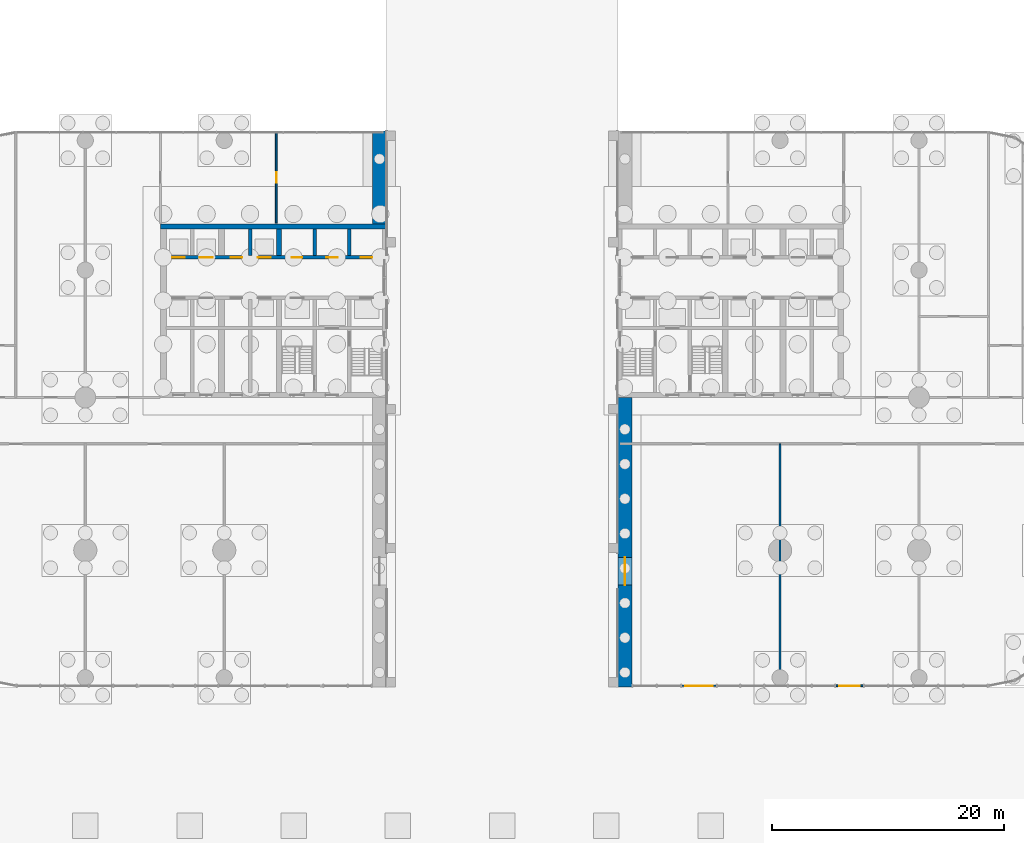
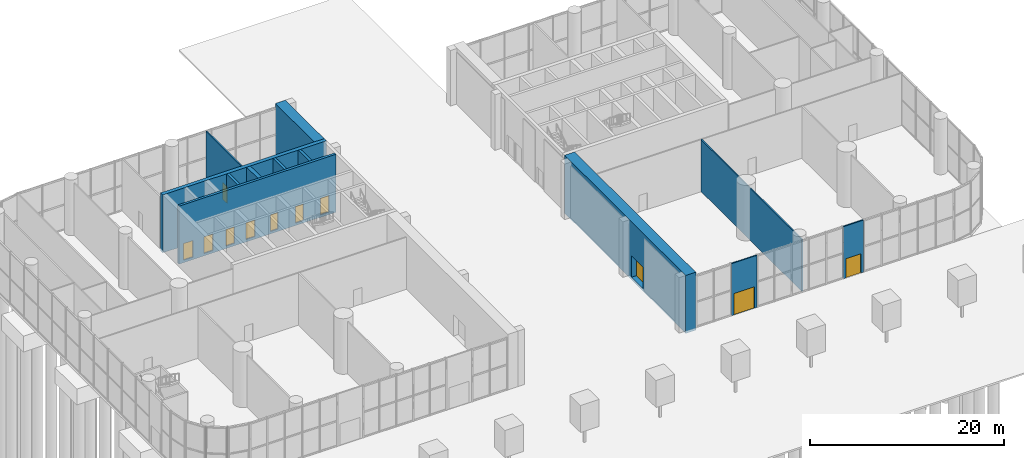
# One storey, part 19 of 26: 12 walls, 11 doors, 11 openings.
"""IFC4 building model written with IfcOpenShell, lengths in metres."""

from ifc_helpers import new_model, si_unit, direction, frame, frame_2d, origin, place, context, subcontext, project, spatial, rectangle, extrude, material, layer, layer_set, type_object, element, fill, save


model = new_model("IFC4")

# Units and contexts
model_context = context("Model", 3, precision=1e-05, world=origin(), true_north=direction((0.0, 1.0)))
body_context = subcontext(model_context, "Body", "Model", "MODEL_VIEW")
ifc_project = project(units=[si_unit("LENGTHUNIT", "METRE"), si_unit("AREAUNIT", "SQUARE_METRE"), si_unit("VOLUMEUNIT", "CUBIC_METRE"), si_unit("PLANEANGLEUNIT", "RADIAN"), si_unit("MASSUNIT", "GRAM", prefix="KILO")], contexts=[model_context])

# Site, building, storey
site_placement = place(None, origin())
site = spatial("IfcSite", under=ifc_project, at=site_placement, CompositionType="ELEMENT")
building_placement = place(site_placement, origin())
building = spatial("IfcBuilding", under=site, at=building_placement, Name="Torana Hotel and Residences", CompositionType="ELEMENT")
storey_placement = place(building_placement, origin())
storey = spatial("IfcBuildingStorey", under=building, at=storey_placement, Name="L00", CompositionType="ELEMENT", Elevation=0.0)

# Wall
ifc_material_1 = material(Name="Concrete C70/85", Category="concrete")
ifc_layer_1 = layer(ifc_material_1, 1.199951171875)
ifc_layer_set_1 = layer_set([ifc_layer_1], Name="CORE WALL 1200 C70/85")
wall_type_1 = type_object("IfcWallType", Name="CORE WALL 1200 C70/85", PredefinedType="SHEAR", material=ifc_layer_set_1)
wall_1_placement = place(storey_placement, frame((-10.60009765625, 0.0, -0.300048828125), z_axis=(0.0, 0.0, 1.0), x_axis=(0.0, 1.0, 0.0)))
element("IfcWall", 1, at=wall_1_placement, inside=storey, type_object=wall_type_1, Name="Arch jamb wall W", PredefinedType="SHEAR", context=body_context, shape_type="SweptSolid", body=[
    extrude(rectangle(XDim=8.0, YDim=1.199951171875, at=frame_2d((4.0, 0.0))), origin(), (0.0, 0.0, 1.0), 7.300048828125),
])

# Wall, opening, door
wall_2_placement = place(storey_placement, frame((10.60009765625, -40.0, -0.300048828125), z_axis=(0.0, 0.0, 1.0), x_axis=(0.0, 1.0, 0.0)))
wall_2 = element("IfcWall", 2, at=wall_2_placement, inside=storey, type_object=wall_type_1, Name="Arch jamb wall E", PredefinedType="SHEAR", context=body_context, shape_type="SweptSolid", body=[
    extrude(rectangle(XDim=25.0, YDim=1.199951171875, at=frame_2d((12.5, 0.0))), origin(), (0.0, 0.0, 1.0), 7.300048828125),
])
opening_1_placement = place(wall_2_placement, frame((8.800048828125, 0.0, 0.300048828125)))
opening_1 = element("IfcOpeningElement", 3, at=opening_1_placement, cuts=wall_2, Name="Opening L00-E06", PredefinedType="OPENING", context=body_context, shape_type="SweptSolid", body=[
    extrude(rectangle(XDim=2.39990234375, YDim=2.699951171875, at=frame_2d((1.199951171875, 1.35009765625))), frame((0.0, 0.60986328125, 0.0), z_axis=(0.0, -1.0, 0.0), x_axis=(1.0, 0.0, 0.0)), (0.0, 0.0, 1.0), 1.219970703125),
])
ifc_material_2 = material(Name="Glass door in stainless steel frame", Category="steel")
door_type_1 = type_object("IfcDoorType", Name="DE1 ENTRANCE DOOR 2400x2700", OperationType="DOUBLE_DOOR_DOUBLE_SWING", PredefinedType="DOOR", material=ifc_material_2)
door_1_placement = place(opening_1_placement, origin())
door_1 = element("IfcDoor", 4, at=door_1_placement, inside=storey, type_object=door_type_1, Name="Entrance door L00", OperationType="DOUBLE_DOOR_DOUBLE_SWING", OverallHeight=2.699951171875, OverallWidth=2.39990234375, PredefinedType="DOOR", context=body_context, shape_type="SweptSolid", body=[
    extrude(rectangle(XDim=2.39990234375, YDim=2.699951171875, at=frame_2d((1.199951171875, 1.35009765625))), frame((0.0, 0.02490234375, 0.0), z_axis=(0.0, -1.0, 0.0), x_axis=(1.0, 0.0, 0.0)), (0.0, 0.0, 1.0), 0.050048828125),
])
fill(opening_1, door_1)

# Wall, openings, doors
ifc_material_3 = material(Name="Concrete C80/95", Category="concrete")
ifc_layer_2 = layer(ifc_material_3, 0.300048828125)
ifc_layer_set_2 = layer_set([ifc_layer_2], Name="CORE WALL 300 C80/95")
wall_type_2 = type_object("IfcWallType", Name="CORE WALL 300 C80/95", PredefinedType="SHEAR", material=ifc_layer_set_2)
wall_3_placement = place(storey_placement, frame((-29.050048828125, -2.89990234375, -0.300048828125), z_axis=(0.0, 0.0, 1.0), x_axis=(1.0, 0.0, 0.0)))
wall_3 = element("IfcWall", 5, at=wall_3_placement, inside=storey, type_object=wall_type_2, Name="Core wall W row-N", PredefinedType="SHEAR", context=body_context, shape_type="SweptSolid", body=[
    extrude(rectangle(XDim=18.699951171875, YDim=0.300048828125, at=frame_2d((9.35009765625, 0.0))), origin(), (0.0, 0.0, 1.0), 7.300048828125),
])
opening_2_placement = place(wall_3_placement, frame((2.949951171875, 0.0, 0.300048828125)))
opening_2 = element("IfcOpeningElement", 6, at=opening_2_placement, cuts=wall_3, Name="Opening LD", PredefinedType="OPENING", context=body_context, shape_type="SweptSolid", body=[
    extrude(rectangle(XDim=1.10009765625, YDim=2.10009765625, at=frame_2d((0.550048828125, 1.050048828125))), frame((0.0, 0.159912109375, 0.0), z_axis=(0.0, -1.0, 0.0), x_axis=(1.0, 0.0, 0.0)), (0.0, 0.0, 1.0), 0.320068359375),
])
opening_3_placement = place(wall_3_placement, frame((0.550048828125, 0.0, 0.300048828125)))
opening_3 = element("IfcOpeningElement", 7, at=opening_3_placement, cuts=wall_3, Name="Opening LD", PredefinedType="OPENING", context=body_context, shape_type="SweptSolid", body=[
    extrude(rectangle(XDim=1.10009765625, YDim=2.10009765625, at=frame_2d((0.550048828125, 1.050048828125))), frame((0.0, 0.159912109375, 0.0), z_axis=(0.0, -1.0, 0.0), x_axis=(1.0, 0.0, 0.0)), (0.0, 0.0, 1.0), 0.320068359375),
])
opening_4_placement = place(wall_3_placement, frame((7.949951171875, 0.0, 0.300048828125)))
opening_4 = element("IfcOpeningElement", 8, at=opening_4_placement, cuts=wall_3, Name="Opening LD", PredefinedType="OPENING", context=body_context, shape_type="SweptSolid", body=[
    extrude(rectangle(XDim=1.10009765625, YDim=2.10009765625, at=frame_2d((0.550048828125, 1.050048828125))), frame((0.0, 0.159912109375, 0.0), z_axis=(0.0, -1.0, 0.0), x_axis=(1.0, 0.0, 0.0)), (0.0, 0.0, 1.0), 0.320068359375),
])
opening_5_placement = place(wall_3_placement, frame((10.89990234375, 0.0, 0.300048828125)))
opening_5 = element("IfcOpeningElement", 9, at=opening_5_placement, cuts=wall_3, Name="Opening L00-10", PredefinedType="OPENING", context=body_context, shape_type="SweptSolid", body=[
    extrude(rectangle(XDim=0.89990234375, YDim=2.10009765625, at=frame_2d((0.449951171875, 1.050048828125))), frame((0.0, 0.159912109375, 0.0), z_axis=(0.0, -1.0, 0.0), x_axis=(1.0, 0.0, 0.0)), (0.0, 0.0, 1.0), 0.320068359375),
])
opening_6_placement = place(wall_3_placement, frame((16.85009765625, 0.0, 0.300048828125)))
opening_6 = element("IfcOpeningElement", 10, at=opening_6_placement, cuts=wall_3, Name="Opening L00-11", PredefinedType="OPENING", context=body_context, shape_type="SweptSolid", body=[
    extrude(rectangle(XDim=1.0, YDim=2.10009765625, at=frame_2d((0.5, 1.050048828125))), frame((0.0, 0.159912109375, 0.0), z_axis=(0.0, -1.0, 0.0), x_axis=(1.0, 0.0, 0.0)), (0.0, 0.0, 1.0), 0.320068359375),
])
opening_7_placement = place(wall_3_placement, frame((13.85009765625, 0.0, 0.300048828125)))
opening_7 = element("IfcOpeningElement", 11, at=opening_7_placement, cuts=wall_3, Name="Opening L00-12", PredefinedType="OPENING", context=body_context, shape_type="SweptSolid", body=[
    extrude(rectangle(XDim=1.0, YDim=2.10009765625, at=frame_2d((0.5, 1.050048828125))), frame((0.0, 0.159912109375, 0.0), z_axis=(0.0, -1.0, 0.0), x_axis=(1.0, 0.0, 0.0)), (0.0, 0.0, 1.0), 0.320068359375),
])
opening_8_placement = place(wall_3_placement, frame((5.60009765625, 0.0, 0.300048828125)))
opening_8 = element("IfcOpeningElement", 12, at=opening_8_placement, cuts=wall_3, Name="Opening L00-13", PredefinedType="OPENING", context=body_context, shape_type="SweptSolid", body=[
    extrude(rectangle(XDim=1.0, YDim=2.10009765625, at=frame_2d((0.5, 1.050048828125))), frame((0.0, 0.159912109375, 0.0), z_axis=(0.0, -1.0, 0.0), x_axis=(1.0, 0.0, 0.0)), (0.0, 0.0, 1.0), 0.320068359375),
])
ifc_material_4 = material(Name="Steel S235", Category="steel")
door_type_2 = type_object("IfcDoorType", Name="CORE ROOM FIRE DOOR D14 1000x2100", OperationType="SINGLE_SWING_LEFT", PredefinedType="DOOR", material=ifc_material_4)
door_2_placement = place(opening_6_placement, origin())
door_2 = element("IfcDoor", 13, at=door_2_placement, inside=storey, type_object=door_type_2, Name="N0 door L00", OperationType="SINGLE_SWING_RIGHT", OverallHeight=2.10009765625, OverallWidth=1.0, PredefinedType="DOOR", context=body_context, shape_type="SweptSolid", body=[
    extrude(rectangle(XDim=1.0, YDim=2.10009765625, at=frame_2d((0.5, 1.050048828125))), frame((0.0, 0.02490234375, 0.0), z_axis=(0.0, -1.0, 0.0), x_axis=(1.0, 0.0, 0.0)), (0.0, 0.0, 1.0), 0.050048828125),
])
fill(opening_6, door_2)
door_3_placement = place(opening_7_placement, origin())
door_3 = element("IfcDoor", 14, at=door_3_placement, inside=storey, type_object=door_type_2, Name="N1 door L00", OperationType="SINGLE_SWING_RIGHT", OverallHeight=2.10009765625, OverallWidth=1.0, PredefinedType="DOOR", context=body_context, shape_type="SweptSolid", body=[
    extrude(rectangle(XDim=1.0, YDim=2.10009765625, at=frame_2d((0.5, 1.050048828125))), frame((0.0, 0.02490234375, 0.0), z_axis=(0.0, -1.0, 0.0), x_axis=(1.0, 0.0, 0.0)), (0.0, 0.0, 1.0), 0.050048828125),
])
fill(opening_7, door_3)
door_4_placement = place(opening_8_placement, origin())
door_4 = element("IfcDoor", 15, at=door_4_placement, inside=storey, type_object=door_type_2, Name="Free-M1 door L00", OperationType="SINGLE_SWING_RIGHT", OverallHeight=2.10009765625, OverallWidth=1.0, PredefinedType="DOOR", context=body_context, shape_type="SweptSolid", body=[
    extrude(rectangle(XDim=1.0, YDim=2.10009765625, at=frame_2d((0.5, 1.050048828125))), frame((0.0, 0.02490234375, 0.0), z_axis=(0.0, -1.0, 0.0), x_axis=(1.0, 0.0, 0.0)), (0.0, 0.0, 1.0), 0.050048828125),
])
fill(opening_8, door_4)
ifc_material_5 = material(Name="Stainless steel 316", Category="steel")
door_type_3 = type_object("IfcDoorType", Name="LIFT LANDING DOOR LD 1100x2100", OperationType="DOUBLE_DOOR_SLIDING", PredefinedType="USERDEFINED", material=ifc_material_5)
door_5_placement = place(opening_2_placement, origin())
door_5 = element("IfcDoor", 16, at=door_5_placement, inside=storey, type_object=door_type_3, Name="Lift landing door L1 L00", ObjectType="LIFT LANDING DOOR", OperationType="DOUBLE_DOOR_SLIDING", OverallHeight=2.10009765625, OverallWidth=1.10009765625, PredefinedType="USERDEFINED", context=body_context, shape_type="SweptSolid", body=[
    extrude(rectangle(XDim=1.10009765625, YDim=2.10009765625, at=frame_2d((0.550048828125, 1.050048828125))), frame((0.0, 0.02490234375, 0.0), z_axis=(0.0, -1.0, 0.0), x_axis=(1.0, 0.0, 0.0)), (0.0, 0.0, 1.0), 0.050048828125),
])
fill(opening_2, door_5)
door_6_placement = place(opening_3_placement, origin())
door_6 = element("IfcDoor", 17, at=door_6_placement, inside=storey, type_object=door_type_3, Name="Lift landing door L2 L00", ObjectType="LIFT LANDING DOOR", OperationType="DOUBLE_DOOR_SLIDING", OverallHeight=2.10009765625, OverallWidth=1.10009765625, PredefinedType="USERDEFINED", context=body_context, shape_type="SweptSolid", body=[
    extrude(rectangle(XDim=1.10009765625, YDim=2.10009765625, at=frame_2d((0.550048828125, 1.050048828125))), frame((0.0, 0.02490234375, 0.0), z_axis=(0.0, -1.0, 0.0), x_axis=(1.0, 0.0, 0.0)), (0.0, 0.0, 1.0), 0.050048828125),
])
fill(opening_3, door_6)
door_7_placement = place(opening_4_placement, origin())
door_7 = element("IfcDoor", 18, at=door_7_placement, inside=storey, type_object=door_type_3, Name="Lift landing door S1 L00", ObjectType="LIFT LANDING DOOR", OperationType="DOUBLE_DOOR_SLIDING", OverallHeight=2.10009765625, OverallWidth=1.10009765625, PredefinedType="USERDEFINED", context=body_context, shape_type="SweptSolid", body=[
    extrude(rectangle(XDim=1.10009765625, YDim=2.10009765625, at=frame_2d((0.550048828125, 1.050048828125))), frame((0.0, 0.02490234375, 0.0), z_axis=(0.0, -1.0, 0.0), x_axis=(1.0, 0.0, 0.0)), (0.0, 0.0, 1.0), 0.050048828125),
])
fill(opening_4, door_7)
ifc_material_6 = material(Name="Steel S235", Category="steel")
door_type_4 = type_object("IfcDoorType", Name="RISER ACCESS DOOR D5 900x2100", OperationType="SINGLE_SWING_LEFT", PredefinedType="DOOR", material=ifc_material_6)
door_8_placement = place(opening_5_placement, origin())
door_8 = element("IfcDoor", 19, at=door_8_placement, inside=storey, type_object=door_type_4, Name="N2 door L00", OperationType="SINGLE_SWING_RIGHT", OverallHeight=2.10009765625, OverallWidth=0.89990234375, PredefinedType="DOOR", context=body_context, shape_type="SweptSolid", body=[
    extrude(rectangle(XDim=0.89990234375, YDim=2.10009765625, at=frame_2d((0.449951171875, 1.050048828125))), frame((0.0, 0.02490234375, 0.0), z_axis=(0.0, -1.0, 0.0), x_axis=(1.0, 0.0, 0.0)), (0.0, 0.0, 1.0), 0.050048828125),
])
fill(opening_5, door_8)

# Walls
for number, where, z_axis, x_axis, name in (
    (20, (-13.199951171875, -2.75, -0.300048828125), (0.0, 0.0, 1.0), (0.0, 1.0, 0.0), "Core wall W x3.05-N"),
    (21, (-16.199951171875, -2.75, -0.300048828125), (0.0, 0.0, 1.0), (0.0, 1.0, 0.0), "Core wall W x6.05-N"),
    (22, (-21.75, -2.75, -0.300048828125), (0.0, 0.0, 1.0), (0.0, 1.0, 0.0), "Core wall W mm-N"),
):
    element("IfcWall", number, at=place(storey_placement, frame(where, z_axis=z_axis, x_axis=x_axis)), inside=storey, type_object=wall_type_2, Name=name, PredefinedType="SHEAR", context=body_context, shape_type="SweptSolid", body=[
        extrude(rectangle(XDim=2.300048828125, YDim=0.300048828125, at=frame_2d((1.14990234375, 0.0))), origin(), (0.0, 0.0, 1.0), 7.300048828125),
    ])
ifc_material_7 = material(Name="Concrete C80/95", Category="concrete")
ifc_layer_3 = layer(ifc_material_7, 0.449951171875)
ifc_layer_set_3 = layer_set([ifc_layer_3], Name="CORE WALL 450 C80/95")
wall_type_3 = type_object("IfcWallType", Name="CORE WALL 450 C80/95", PredefinedType="SHEAR", material=ifc_layer_set_3)
wall_4_placement = place(storey_placement, frame((-29.5, -0.22509765625, -0.300048828125), z_axis=(0.0, 0.0, 1.0), x_axis=(1.0, 0.0, 0.0)))
element("IfcWall", 23, at=wall_4_placement, inside=storey, type_object=wall_type_3, Name="Core wall W rear", PredefinedType="SHEAR", context=body_context, shape_type="SweptSolid", body=[
    extrude(rectangle(XDim=19.5, YDim=0.449951171875, at=frame_2d((9.75, 0.0))), origin(), (0.0, 0.0, 1.0), 7.300048828125),
])
wall_5_placement = place(storey_placement, frame((-19.27490234375, -2.75, -0.300048828125), z_axis=(0.0, 0.0, 1.0), x_axis=(0.0, 1.0, 0.0)))
element("IfcWall", 24, at=wall_5_placement, inside=storey, type_object=wall_type_3, Name="Core wall W hm-N", PredefinedType="SHEAR", context=body_context, shape_type="SweptSolid", body=[
    extrude(rectangle(XDim=2.300048828125, YDim=0.449951171875, at=frame_2d((1.14990234375, 0.0))), origin(), (0.0, 0.0, 1.0), 7.300048828125),
])
ifc_material_8 = material(Name="Gypsum plaster")
ifc_layer_4 = layer(ifc_material_8, 0.014892578125, Name="Plaster", Category="finish")
ifc_material_9 = material(Name="Concrete blockwork", Category="masonry")
ifc_layer_5 = layer(ifc_material_9, 0.1201171875, Name="Blockwork", Category="structure")
ifc_layer_6 = layer(ifc_material_8, 0.014892578125, Name="Plaster", Category="finish")
ifc_layer_set_4 = layer_set([ifc_layer_4, ifc_layer_5, ifc_layer_6], Name="FIRE PARTITION 150 BLOCKWORK")
wall_type_4 = type_object("IfcWallType", Name="FIRE PARTITION 150 BLOCKWORK", PredefinedType="PARTITIONING", material=ifc_layer_set_4)
wall_6_placement = place(storey_placement, frame((24.0, -39.820068359375, 0.0), z_axis=(0.0, 0.0, 1.0), x_axis=(0.0, 1.0, 0.0)))
element("IfcWall", 25, at=wall_6_placement, inside=storey, type_object=wall_type_4, Name="Partition L00", PredefinedType="PARTITIONING", context=body_context, shape_type="SweptSolid", body=[
    extrude(rectangle(XDim=20.820068359375, YDim=0.14990234375, at=frame_2d((10.41015625, 0.0))), origin(), (0.0, 0.0, 1.0), 6.550048828125),
])

# Wall, opening, door
ifc_material_10 = material(Name="Dark glass screen in aluminium frame", Category="aluminium")
ifc_layer_7 = layer(ifc_material_10, 0.14990234375)
ifc_layer_set_5 = layer_set([ifc_layer_7], Name="GS1 GLAZED DOOR SCREEN 150")
wall_type_5 = type_object("IfcWallType", Name="GS1 GLAZED DOOR SCREEN 150", PredefinedType="USERDEFINED", material=ifc_layer_set_5)
wall_7_placement = place(storey_placement, frame((15.5, -39.89990234375, 0.0), z_axis=(0.0, 0.0, 1.0), x_axis=(1.0, 0.0, 0.0)))
wall_7 = element("IfcWall", 26, at=wall_7_placement, inside=storey, type_object=wall_type_5, Name="Glazed door screen L00", ObjectType="GLAZED SCREEN", PredefinedType="USERDEFINED", context=body_context, shape_type="SweptSolid", body=[
    extrude(rectangle(XDim=3.0, YDim=0.14990234375, at=frame_2d((1.5, 0.0))), origin(), (0.0, 0.0, 1.0), 6.550048828125),
])
opening_9_placement = place(wall_7_placement, frame((0.300048828125, 0.0, 0.0)))
opening_9 = element("IfcOpeningElement", 27, at=opening_9_placement, cuts=wall_7, Name="Opening L00-E04", PredefinedType="OPENING", context=body_context, shape_type="SweptSolid", body=[
    extrude(rectangle(XDim=2.39990234375, YDim=2.699951171875, at=frame_2d((1.199951171875, 1.35009765625))), frame((0.0, 0.0849609375, 0.0), z_axis=(0.0, -1.0, 0.0), x_axis=(1.0, 0.0, 0.0)), (0.0, 0.0, 1.0), 0.169921875),
])
door_9_placement = place(opening_9_placement, frame((1.199951171875, 0.0, 0.0), z_axis=(0.0, 0.0, 1.0), x_axis=(-1.0, 0.0, 0.0)))
door_9 = element("IfcDoor", 28, at=door_9_placement, inside=storey, type_object=door_type_1, Name="Entrance door L00", OperationType="DOUBLE_DOOR_DOUBLE_SWING", OverallHeight=2.699951171875, OverallWidth=2.39990234375, PredefinedType="DOOR", context=body_context, shape_type="SweptSolid", body=[
    extrude(rectangle(XDim=2.39990234375, YDim=2.699951171875, at=frame_2d((0.0, 1.35009765625))), frame((0.0, -0.02490234375, 0.0), z_axis=(0.0, 1.0, 0.0), x_axis=(-1.0, 0.0, 0.0)), (0.0, 0.0, 1.0), 0.050048828125),
])
fill(opening_9, door_9)

wall_8_placement = place(storey_placement, frame((28.800048828125, -39.89990234375, 0.0), z_axis=(0.0, 0.0, 1.0), x_axis=(1.0, 0.0, 0.0)))
wall_8 = element("IfcWall", 29, at=wall_8_placement, inside=storey, type_object=wall_type_5, Name="Glazed door screen L00", ObjectType="GLAZED SCREEN", PredefinedType="USERDEFINED", context=body_context, shape_type="SweptSolid", body=[
    extrude(rectangle(XDim=2.39990234375, YDim=0.14990234375, at=frame_2d((1.199951171875, 0.0))), origin(), (0.0, 0.0, 1.0), 6.550048828125),
])
opening_10_placement = place(wall_8_placement, frame((0.300048828125, 0.0, 0.0)))
opening_10 = element("IfcOpeningElement", 30, at=opening_10_placement, cuts=wall_8, Name="Opening L00-E05", PredefinedType="OPENING", context=body_context, shape_type="SweptSolid", body=[
    extrude(rectangle(XDim=1.800048828125, YDim=2.39990234375, at=frame_2d((0.89990234375, 1.199951171875))), frame((0.0, 0.0849609375, 0.0), z_axis=(0.0, -1.0, 0.0), x_axis=(1.0, 0.0, 0.0)), (0.0, 0.0, 1.0), 0.169921875),
])
ifc_material_11 = material(Name="Glass door in stainless steel frame", Category="steel")
door_type_5 = type_object("IfcDoorType", Name="DE3 EXIT DOOR 1800x2400", OperationType="DOUBLE_DOOR_SINGLE_SWING", PredefinedType="DOOR", material=ifc_material_11)
door_10_placement = place(opening_10_placement, frame((0.89990234375, 0.0, 0.0), z_axis=(0.0, 0.0, 1.0), x_axis=(-1.0, 0.0, 0.0)))
door_10 = element("IfcDoor", 31, at=door_10_placement, inside=storey, type_object=door_type_5, Name="Entrance door L00", OperationType="DOUBLE_DOOR_SINGLE_SWING", OverallHeight=2.39990234375, OverallWidth=1.800048828125, PredefinedType="DOOR", context=body_context, shape_type="SweptSolid", body=[
    extrude(rectangle(XDim=1.800048828125, YDim=2.39990234375, at=frame_2d((0.0, 1.199951171875))), frame((0.0, -0.02490234375, 0.0), z_axis=(0.0, 1.0, 0.0), x_axis=(-1.0, 0.0, 0.0)), (0.0, 0.0, 1.0), 0.050048828125),
])
fill(opening_10, door_10)

ifc_material_12 = material(Name="Gypsum plasterboard")
ifc_layer_8 = layer(ifc_material_12, 0.012451171875, Name="Plasterboard", Category="finish")
ifc_layer_9 = layer(ifc_material_12, 0.012451171875, Name="Plasterboard", Category="finish")
ifc_material_13 = material(Name="Steel S280GD", Category="steel")
ifc_layer_10 = layer(ifc_material_13, 0.10009765625, Name="Steel studs with mineral wool", Category="insulation")
ifc_layer_11 = layer(ifc_material_12, 0.012451171875, Name="Plasterboard", Category="finish")
ifc_layer_12 = layer(ifc_material_12, 0.012451171875, Name="Plasterboard", Category="finish")
ifc_layer_set_6 = layer_set([ifc_layer_8, ifc_layer_9, ifc_layer_10, ifc_layer_11, ifc_layer_12], Name="PARTITION 150 PLASTERBOARD")
wall_type_6 = type_object("IfcWallType", Name="PARTITION 150 PLASTERBOARD", PredefinedType="PARTITIONING", material=ifc_layer_set_6)
wall_9_placement = place(storey_placement, frame((-19.5, 0.050048828125, 0.0), z_axis=(0.0, 0.0, 1.0), x_axis=(0.0, 1.0, 0.0)))
wall_9 = element("IfcWall", 32, at=wall_9_placement, inside=storey, type_object=wall_type_6, Name="Partition L00", PredefinedType="PARTITIONING", context=body_context, shape_type="SweptSolid", body=[
    extrude(rectangle(XDim=7.77001953125, YDim=0.14990234375, at=frame_2d((3.885009765625, 0.0))), origin(), (0.0, 0.0, 1.0), 6.550048828125),
])
opening_11_placement = place(wall_9_placement, frame((3.5, 0.0, 0.0)))
opening_11 = element("IfcOpeningElement", 33, at=opening_11_placement, cuts=wall_9, Name="Opening L00-56", PredefinedType="OPENING", context=body_context, shape_type="SweptSolid", body=[
    extrude(rectangle(XDim=0.89990234375, YDim=2.10009765625, at=frame_2d((0.449951171875, 1.050048828125))), frame((0.0, 0.0849609375, 0.0), z_axis=(0.0, -1.0, 0.0), x_axis=(1.0, 0.0, 0.0)), (0.0, 0.0, 1.0), 0.169921875),
])
ifc_material_14 = material(Name="Timber door, oiled ash", Category="wood")
door_type_6 = type_object("IfcDoorType", Name="ROOM DOOR D7 900x2100", OperationType="SINGLE_SWING_LEFT", PredefinedType="DOOR", material=ifc_material_14)
door_11_placement = place(opening_11_placement, origin())
door_11 = element("IfcDoor", 34, at=door_11_placement, inside=storey, type_object=door_type_6, Name="Door L00", OperationType="SINGLE_SWING_RIGHT", OverallHeight=2.10009765625, OverallWidth=0.89990234375, PredefinedType="DOOR", context=body_context, shape_type="SweptSolid", body=[
    extrude(rectangle(XDim=0.89990234375, YDim=2.10009765625, at=frame_2d((0.449951171875, 1.050048828125))), frame((0.0, 0.02490234375, 0.0), z_axis=(0.0, -1.0, 0.0), x_axis=(1.0, 0.0, 0.0)), (0.0, 0.0, 1.0), 0.050048828125),
])
fill(opening_11, door_11)

save(model, "model.ifc")
